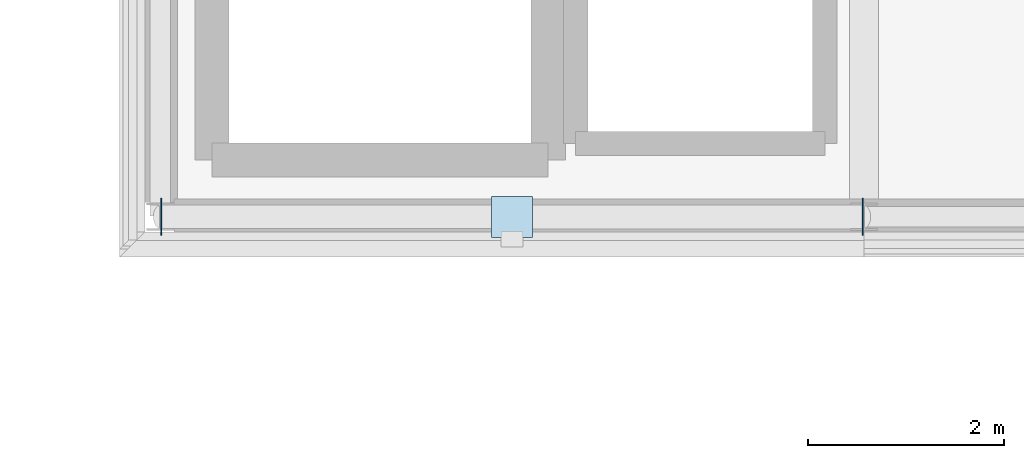
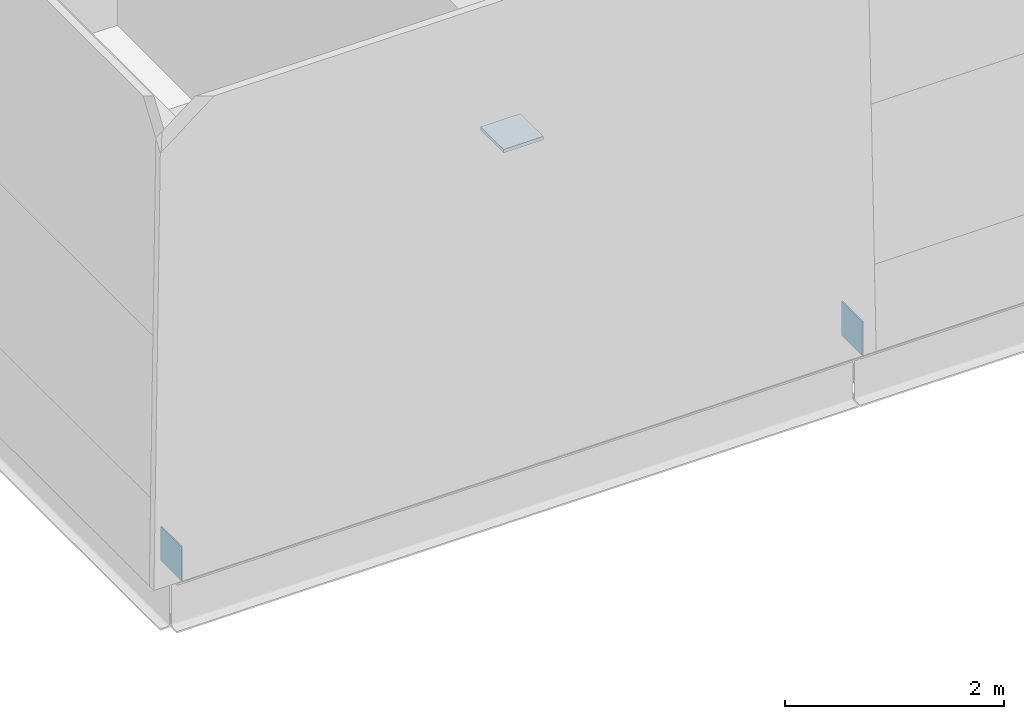
# One storey, part 33 of 66: 3 plates.
"""IFC4 building model written with IfcOpenShell, lengths in metres."""

from ifc_helpers import new_model, si_unit, direction, frame, origin, origin_2d, place, context, subcontext, project, spatial, rectangle, extrude, material, layer, layer_set, type_object, element, save


model = new_model("IFC4")

# Units and contexts
model_context = context("Model", 3, precision=1e-05, world=origin(), true_north=direction((0.0, 1.0)))
body_context = subcontext(model_context, "Body", "Model", "MODEL_VIEW")
ifc_project = project(units=[si_unit("LENGTHUNIT", "METRE"), si_unit("AREAUNIT", "SQUARE_METRE"), si_unit("VOLUMEUNIT", "CUBIC_METRE"), si_unit("PLANEANGLEUNIT", "RADIAN"), si_unit("MASSUNIT", "GRAM", prefix="KILO")], contexts=[model_context])

# Site, building, storey
site_placement = place(None, origin())
site = spatial("IfcSite", under=ifc_project, at=site_placement, CompositionType="ELEMENT")
building_placement = place(site_placement, origin())
building = spatial("IfcBuilding", under=site, at=building_placement, Name="Narikvali Park Central Library", CompositionType="ELEMENT")
storey_placement = place(building_placement, frame((0.0, 0.0, 18.60009765625)))
storey = spatial("IfcBuildingStorey", under=building, at=storey_placement, Name="L04", CompositionType="ELEMENT", Elevation=18.60009765625)

# Plates
ifc_material = material(Name="Steel S355", Category="steel")
ifc_layer_1 = layer(ifc_material, 0.013916015625, Name="Steel S355")
ifc_layer_set_1 = layer_set([ifc_layer_1], Name="Steel S355")
plate_type_1 = type_object("IfcPlateType", Name="Steel Hollow End Cap Plate 14", PredefinedType="SHEET", material=ifc_layer_set_1)
for number, where, z_axis, x_axis, name in (
    (1, (28.81201171875, 57.60009765625, -0.177734375), (0.0, 0.0, 1.0), (-1.0, 0.0, 0.0), "Hollow Section Steel End Cap BR-ECAP-3-L04-A0"),
    (2, (35.98779296875, 57.60009765625, -0.177734375), (0.0, 0.0, 1.0), (1.0, 0.0, 0.0), "Hollow Section Steel End Cap BR-ECAP-3-L04-B0"),
):
    element("IfcPlate", number, at=place(storey_placement, frame(where, z_axis=z_axis, x_axis=x_axis)), inside=storey, type_object=plate_type_1, Name=name, PredefinedType="SHEET", context=body_context, shape_type="SweptSolid", body=[
        extrude(rectangle(XDim=0.013916015625, YDim=0.3798828125, at=origin_2d()), origin(), (0.0, 0.0, 1.0), 0.3798828125),
    ])
ifc_layer_2 = layer(ifc_material, 0.0380859375, Name="Steel S355")
ifc_layer_set_2 = layer_set([ifc_layer_2], Name="Steel S355")
plate_type_2 = type_object("IfcPlateType", Name="Truss Splice Gusset Plate 38", PredefinedType="SHEET", material=ifc_layer_set_2)
plate_placement = place(storey_placement, frame((32.39990234375, 57.60009765625, 3.4208984375), z_axis=(0.0, 0.0, 1.0), x_axis=(1.0, 0.0, 0.0)))
element("IfcPlate", 3, at=plate_placement, inside=storey, type_object=plate_type_2, Name="V4 L04 Chevron Apex Gusset Cap Plate", PredefinedType="SHEET", context=body_context, shape_type="SweptSolid", body=[
    extrude(rectangle(XDim=0.419921875, YDim=0.419921875, at=origin_2d()), origin(), (0.0, 0.0, 1.0), 0.0380859375),
])

save(model, "model.ifc")
